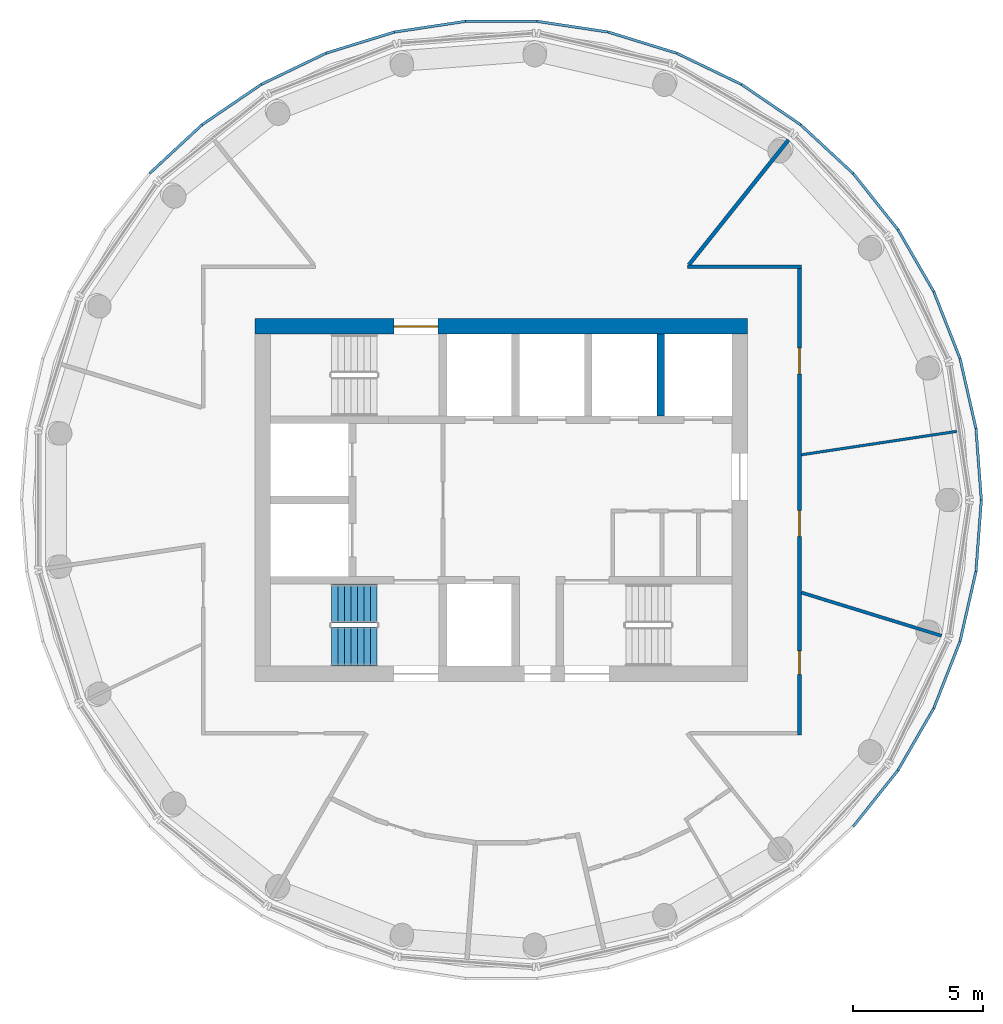
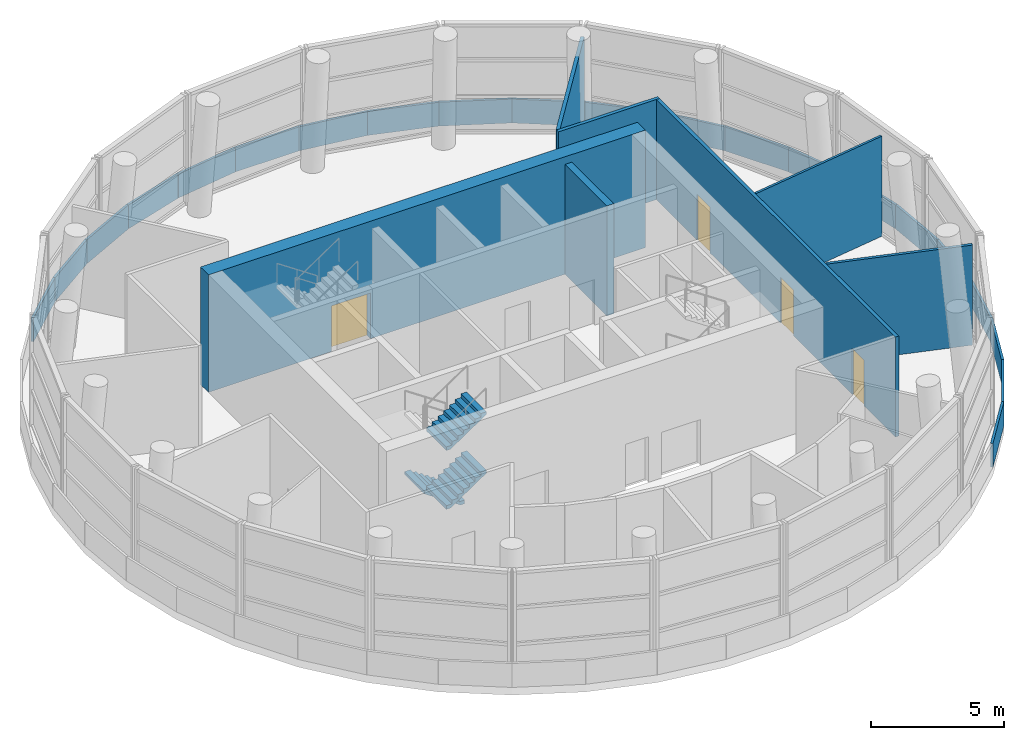
# One storey, part 7 of 11: 28 walls, 4 doors, 3 stair flights, 4 openings, 1 element without a shape of its own.
"""IFC4 building model written with IfcOpenShell, lengths in metres."""

from ifc_helpers import new_model, si_unit, direction, frame, frame_2d, origin, place, context, subcontext, project, spatial, polyline, rectangle, outline, extrude, material, layer, layer_set, type_object, element, fill, aggregate, save


model = new_model("IFC4")

# Units and contexts
model_context = context("Model", 3, precision=1e-05, world=origin(), true_north=direction((0.0, 1.0)))
body_context = subcontext(model_context, "Body", "Model", "MODEL_VIEW")
ifc_project = project(units=[si_unit("LENGTHUNIT", "METRE"), si_unit("AREAUNIT", "SQUARE_METRE"), si_unit("VOLUMEUNIT", "CUBIC_METRE"), si_unit("PLANEANGLEUNIT", "RADIAN"), si_unit("MASSUNIT", "GRAM", prefix="KILO")], contexts=[model_context])

# Site, building, storey
site_placement = place(None, origin())
site = spatial("IfcSite", under=ifc_project, at=site_placement, CompositionType="ELEMENT")
building_placement = place(site_placement, origin())
building = spatial("IfcBuilding", under=site, at=building_placement, Name="Tracery Tower", CompositionType="ELEMENT")
storey_placement = place(building_placement, frame((0.0, 0.0, 346.800048828125)))
storey = spatial("IfcBuildingStorey", under=building, at=storey_placement, Name="L89", CompositionType="ELEMENT", Elevation=346.800048828125)

# Wall, opening, door
ifc_material_1 = material(Name="Concrete C40/50", Category="concrete")
ifc_layer_1 = layer(ifc_material_1, 0.60009765625)
ifc_layer_set_1 = layer_set([ifc_layer_1], Name="Core wall 600 C40")
wall_type_1 = type_object("IfcWallType", Name="Core wall 600 C40", PredefinedType="SOLIDWALL", material=ifc_layer_set_1)
wall_1_placement = place(storey_placement, frame((-9.5, 6.699951171875, 0.0), z_axis=(0.0, 0.0, 1.0), x_axis=(1.0, 0.0, 0.0)))
wall_1 = element("IfcWall", 1, at=wall_1_placement, inside=storey, type_object=wall_type_1, Name="L89 outer N", PredefinedType="SOLIDWALL", context=body_context, shape_type="SweptSolid", body=[
    extrude(rectangle(XDim=19.0, YDim=0.60009765625, at=frame_2d((9.5, 0.0))), origin(), (0.0, 0.0, 1.0), 5.39990234375),
])
opening_1_placement = place(wall_1_placement, frame((5.35009765625, 0.0, 0.0)))
opening_1 = element("IfcOpeningElement", 2, at=opening_1_placement, cuts=wall_1, Name="Opening KD3", PredefinedType="OPENING", context=body_context, shape_type="SweptSolid", body=[
    extrude(rectangle(XDim=1.699951171875, YDim=2.10009765625, at=frame_2d((0.85009765625, 1.050048828125))), frame((0.0, 0.300048828125, 0.0), z_axis=(0.0, -1.0, 0.0), x_axis=(1.0, 0.0, 0.0)), (0.0, 0.0, 1.0), 0.60009765625),
])
ifc_material_2 = material(Name="Steel fire door", Category="steel")
door_type_1 = type_object("IfcDoorType", Name="Core stair door 1700 double", OperationType="NOTDEFINED", PredefinedType="DOOR", material=ifc_material_2)
door_1_placement = place(opening_1_placement, origin())
door_1 = element("IfcDoor", 3, at=door_1_placement, inside=storey, type_object=door_type_1, Name="Stair door ST3 exit", OperationType="DOUBLE_DOOR_SINGLE_SWING", OverallHeight=2.10009765625, OverallWidth=1.699951171875, PredefinedType="DOOR", context=body_context, shape_type="SweptSolid", body=[
    extrude(rectangle(XDim=1.699951171875, YDim=2.10009765625, at=frame_2d((0.85009765625, 1.050048828125))), frame((0.0, 0.02490234375, 0.0), z_axis=(0.0, -1.0, 0.0), x_axis=(1.0, 0.0, 0.0)), (0.0, 0.0, 1.0), 0.050048828125),
])
fill(opening_1, door_1)

# Wall
ifc_material_3 = material(Name="Plasterboard on steel studs", Category="steel")
ifc_layer_2 = layer(ifc_material_3, 0.14990234375)
ifc_layer_set_2 = layer_set([ifc_layer_2], Name="Corridor partition 150")
wall_type_2 = type_object("IfcWallType", Name="Corridor partition 150", PredefinedType="PARTITIONING", material=ifc_layer_set_2)
wall_2_placement = place(storey_placement, frame((11.080322265625, 13.894287109375, 0.0), z_axis=(0.0, 0.0, 1.0), x_axis=(-0.623486782959, -0.781833889951, 0.0)))
element("IfcWall", 4, at=wall_2_placement, inside=storey, type_object=wall_type_2, Name="Corridor partition 150", PredefinedType="PARTITIONING", context=body_context, shape_type="SweptSolid", body=[
    extrude(rectangle(XDim=6.1640625, YDim=0.14990234375, at=frame_2d((3.08203125, 0.0))), origin(), (0.0, 0.0, 1.0), 4.599853515625),
])

# Wall, openings, doors
wall_3_placement = place(storey_placement, frame((11.5, 8.925048828125, 0.0), z_axis=(0.0, 0.0, 1.0), x_axis=(0.0, -1.0, 0.0)))
wall_3 = element("IfcWall", 5, at=wall_3_placement, inside=storey, type_object=wall_type_2, Name="Corridor partition 150", PredefinedType="PARTITIONING", context=body_context, shape_type="SweptSolid", body=[
    extrude(rectangle(XDim=18.0, YDim=0.14990234375, at=frame_2d((9.0, 0.0))), origin(), (0.0, 0.0, 1.0), 4.599853515625),
])
opening_2_placement = place(wall_3_placement, frame((3.058349609375, 0.0, 0.0)))
opening_2 = element("IfcOpeningElement", 6, at=opening_2_placement, cuts=wall_3, Name="Opening SB-L89-01", PredefinedType="OPENING", context=body_context, shape_type="SweptSolid", body=[
    extrude(rectangle(XDim=1.0, YDim=2.10009765625, at=frame_2d((0.5, 1.050048828125))), frame((0.0, 0.074951171875, 0.0), z_axis=(0.0, -1.0, 0.0), x_axis=(1.0, 0.0, 0.0)), (0.0, 0.0, 1.0), 0.14990234375),
])
opening_3_placement = place(wall_3_placement, frame((14.748779296875, 0.0, 0.0)))
opening_3 = element("IfcOpeningElement", 7, at=opening_3_placement, cuts=wall_3, Name="Opening SB-L89-09", PredefinedType="OPENING", context=body_context, shape_type="SweptSolid", body=[
    extrude(rectangle(XDim=0.89990234375, YDim=2.10009765625, at=frame_2d((0.449951171875, 1.050048828125))), frame((0.0, 0.074951171875, 0.0), z_axis=(0.0, -1.0, 0.0), x_axis=(1.0, 0.0, 0.0)), (0.0, 0.0, 1.0), 0.14990234375),
])
opening_4_placement = place(wall_3_placement, frame((9.33203125, 0.0, 0.0)))
opening_4 = element("IfcOpeningElement", 8, at=opening_4_placement, cuts=wall_3, Name="Opening SB-L89-10", PredefinedType="OPENING", context=body_context, shape_type="SweptSolid", body=[
    extrude(rectangle(XDim=1.0, YDim=2.10009765625, at=frame_2d((0.5, 1.050048828125))), frame((0.0, 0.074951171875, 0.0), z_axis=(0.0, -1.0, 0.0), x_axis=(1.0, 0.0, 0.0)), (0.0, 0.0, 1.0), 0.14990234375),
])
ifc_material_4 = material(Name="Timber door leaf", Category="wood")
door_type_2 = type_object("IfcDoorType", Name="Public room door 1000", OperationType="NOTDEFINED", PredefinedType="DOOR", material=ifc_material_4)
door_2_placement = place(opening_2_placement, origin())
door_2 = element("IfcDoor", 9, at=door_2_placement, inside=storey, type_object=door_type_2, Name="Public room door 1000", OperationType="SINGLE_SWING_RIGHT", OverallHeight=2.10009765625, OverallWidth=1.0, PredefinedType="DOOR", context=body_context, shape_type="SweptSolid", body=[
    extrude(rectangle(XDim=1.0, YDim=2.10009765625, at=frame_2d((0.5, 1.050048828125))), frame((0.0, 0.02490234375, 0.0), z_axis=(0.0, -1.0, 0.0), x_axis=(1.0, 0.0, 0.0)), (0.0, 0.0, 1.0), 0.050048828125),
])
fill(opening_2, door_2)
door_3_placement = place(opening_4_placement, origin())
door_3 = element("IfcDoor", 10, at=door_3_placement, inside=storey, type_object=door_type_2, Name="Public room door 1000", OperationType="SINGLE_SWING_RIGHT", OverallHeight=2.10009765625, OverallWidth=1.0, PredefinedType="DOOR", context=body_context, shape_type="SweptSolid", body=[
    extrude(rectangle(XDim=1.0, YDim=2.10009765625, at=frame_2d((0.5, 1.050048828125))), frame((0.0, 0.02490234375, 0.0), z_axis=(0.0, -1.0, 0.0), x_axis=(1.0, 0.0, 0.0)), (0.0, 0.0, 1.0), 0.050048828125),
])
fill(opening_4, door_3)
ifc_material_5 = material(Name="Timber door leaf", Category="wood")
door_type_3 = type_object("IfcDoorType", Name="Toilet door 900", OperationType="NOTDEFINED", PredefinedType="DOOR", material=ifc_material_5)
door_4_placement = place(opening_3_placement, origin())
door_4 = element("IfcDoor", 11, at=door_4_placement, inside=storey, type_object=door_type_3, Name="Toilet door 900", OperationType="SINGLE_SWING_RIGHT", OverallHeight=2.10009765625, OverallWidth=0.89990234375, PredefinedType="DOOR", context=body_context, shape_type="SweptSolid", body=[
    extrude(rectangle(XDim=0.89990234375, YDim=2.10009765625, at=frame_2d((0.449951171875, 1.050048828125))), frame((0.0, 0.02490234375, 0.0), z_axis=(0.0, -1.0, 0.0), x_axis=(1.0, 0.0, 0.0)), (0.0, 0.0, 1.0), 0.050048828125),
])
fill(opening_3, door_4)

# Walls
wall_4_placement = place(storey_placement, frame((11.574951171875, 9.0, 0.0), z_axis=(0.0, 0.0, 1.0), x_axis=(-1.0, 0.0, 0.0)))
element("IfcWall", 12, at=wall_4_placement, inside=storey, type_object=wall_type_2, Name="Corridor partition 150", PredefinedType="PARTITIONING", context=body_context, shape_type="SweptSolid", body=[
    extrude(rectangle(XDim=4.397705078125, YDim=0.14990234375, at=frame_2d((2.19873046875, 0.0))), origin(), (0.0, 0.0, 1.0), 4.599853515625),
])
ifc_material_6 = material(Name="Tinted laminated glass", Category="glass")
ifc_layer_3 = layer(ifc_material_6, 0.10009765625)
ifc_layer_set_3 = layer_set([ifc_layer_3], Name="Crown ledge glass parapet 100")
wall_type_3 = type_object("IfcWallType", Name="Crown ledge glass parapet 100", PredefinedType="PARAPET", material=ifc_layer_set_3)
wall_5_placement = place(storey_placement, frame((18.521728515625, 0.004638671875, 0.0), z_axis=(0.0, 0.0, 1.0), x_axis=(-0.074774549, 0.997200464712, 0.0)))
element("IfcWall", 13, at=wall_5_placement, inside=storey, type_object=wall_type_3, Name="Crown ledge glass parapet L89 1", PredefinedType="PARAPET", context=body_context, shape_type="SweptSolid", body=[
    extrude(rectangle(XDim=2.759033203125, YDim=0.10009765625, at=frame_2d((1.37939453125, 0.0))), origin(), (0.0, 0.0, 1.0), 1.099853515625),
])
for number, where, z_axis, x_axis, name in (
    (14, (18.314208984375, 2.76513671875, 0.0), (0.0, 0.0, 1.0), (-0.222558080593, 0.97491943296, 0.0), "Crown ledge glass parapet L89 2"),
    (15, (17.697509765625, 5.4638671875, 0.0), (0.0, 0.0, 1.0), (-0.365386781349, 0.930855789054, 0.0), "Crown ledge glass parapet L89 3"),
    (16, (16.685302734375, 8.04052734375, 0.0), (0.0, 0.0, 1.0), (-0.500003336238, 0.866023477598, 0.0), "Crown ledge glass parapet L89 4"),
):
    element("IfcWall", number, at=place(storey_placement, frame(where, z_axis=z_axis, x_axis=x_axis)), inside=storey, type_object=wall_type_3, Name=name, PredefinedType="PARAPET", context=body_context, shape_type="SweptSolid", body=[
        extrude(rectangle(XDim=2.7587890625, YDim=0.10009765625, at=frame_2d((1.37939453125, 0.0))), origin(), (0.0, 0.0, 1.0), 1.099853515625),
    ])
wall_6_placement = place(storey_placement, frame((15.30078125, 10.4375, 0.0), z_axis=(0.0, 0.0, 1.0), x_axis=(-0.623507251966, 0.781817566153, 0.0)))
element("IfcWall", 17, at=wall_6_placement, inside=storey, type_object=wall_type_3, Name="Crown ledge glass parapet L89 5", PredefinedType="PARAPET", context=body_context, shape_type="SweptSolid", body=[
    extrude(rectangle(XDim=2.759033203125, YDim=0.10009765625, at=frame_2d((1.37939453125, 0.0))), origin(), (0.0, 0.0, 1.0), 1.099853515625),
])
for number, where, z_axis, x_axis, name in (
    (18, (13.57421875, 12.601318359375, 0.0), (0.0, 0.0, 1.0), (-0.733070787657, 0.680152350789, 0.0), "Crown ledge glass parapet L89 6"),
    (19, (11.54443359375, 14.48388671875, 0.0), (0.0, 0.0, 1.0), (-0.826274145989, 0.563268173848, 0.0), "Crown ledge glass parapet L89 7"),
):
    element("IfcWall", number, at=place(storey_placement, frame(where, z_axis=z_axis, x_axis=x_axis)), inside=storey, type_object=wall_type_3, Name=name, PredefinedType="PARAPET", context=body_context, shape_type="SweptSolid", body=[
        extrude(rectangle(XDim=2.7587890625, YDim=0.10009765625, at=frame_2d((1.37939453125, 0.0))), origin(), (0.0, 0.0, 1.0), 1.099853515625),
    ])
wall_7_placement = place(storey_placement, frame((9.2568359375, 16.04248046875, 0.0), z_axis=(0.0, 0.0, 1.0), x_axis=(-0.900982453825, 0.433855526528, 0.0)))
element("IfcWall", 20, at=wall_7_placement, inside=storey, type_object=wall_type_3, Name="Crown ledge glass parapet L89 8", PredefinedType="PARAPET", context=body_context, shape_type="SweptSolid", body=[
    extrude(rectangle(XDim=2.759033203125, YDim=0.10009765625, at=frame_2d((1.37939453125, 0.0))), origin(), (0.0, 0.0, 1.0), 1.099853515625),
])
wall_8_placement = place(storey_placement, frame((6.76220703125, 17.2431640625, 0.0), z_axis=(0.0, 0.0, 1.0), x_axis=(-0.955558681515, 0.294800960278, 0.0)))
element("IfcWall", 21, at=wall_8_placement, inside=storey, type_object=wall_type_3, Name="Crown ledge glass parapet L89 9", PredefinedType="PARAPET", context=body_context, shape_type="SweptSolid", body=[
    extrude(rectangle(XDim=2.758544921875, YDim=0.10009765625, at=frame_2d((1.37939453125, 0.0))), origin(), (0.0, 0.0, 1.0), 1.099853515625),
])
for number, where, z_axis, x_axis, name in (
    (22, (4.116943359375, 18.058349609375, 0.0), (0.0, 0.0, 1.0), (-0.988833558512, 0.14902413751, 0.0), "Crown ledge glass parapet L89 10"),
    (23, (1.37939453125, 18.47021484375, 0.0), (0.0, 0.0, 1.0), (-1.0, 0.0, 0.0), "Crown ledge glass parapet L89 11"),
    (24, (-1.388916015625, 18.469482421875, 0.0), (0.0, 0.0, 1.0), (-0.988833558512, -0.14902413751, 0.0), "Crown ledge glass parapet L89 12"),
):
    element("IfcWall", number, at=place(storey_placement, frame(where, z_axis=z_axis, x_axis=x_axis)), inside=storey, type_object=wall_type_3, Name=name, PredefinedType="PARAPET", context=body_context, shape_type="SweptSolid", body=[
        extrude(rectangle(XDim=2.7587890625, YDim=0.10009765625, at=frame_2d((1.37939453125, 0.0))), origin(), (0.0, 0.0, 1.0), 1.099853515625),
    ])
wall_9_placement = place(storey_placement, frame((-4.126220703125, 18.056396484375, 0.0), z_axis=(0.0, 0.0, 1.0), x_axis=(-0.955558681515, -0.294800960278, 0.0)))
element("IfcWall", 25, at=wall_9_placement, inside=storey, type_object=wall_type_3, Name="Crown ledge glass parapet L89 13", PredefinedType="PARAPET", context=body_context, shape_type="SweptSolid", body=[
    extrude(rectangle(XDim=2.758544921875, YDim=0.10009765625, at=frame_2d((1.37939453125, 0.0))), origin(), (0.0, 0.0, 1.0), 1.099853515625),
])
wall_10_placement = place(storey_placement, frame((-6.77099609375, 17.239501953125, 0.0), z_axis=(0.0, 0.0, 1.0), x_axis=(-0.900982453825, -0.433855526528, 0.0)))
element("IfcWall", 26, at=wall_10_placement, inside=storey, type_object=wall_type_3, Name="Crown ledge glass parapet L89 14", PredefinedType="PARAPET", context=body_context, shape_type="SweptSolid", body=[
    extrude(rectangle(XDim=2.759033203125, YDim=0.10009765625, at=frame_2d((1.37939453125, 0.0))), origin(), (0.0, 0.0, 1.0), 1.099853515625),
])
for number, where, z_axis, x_axis, name in (
    (27, (-9.264892578125, 16.037841796875, 0.0), (0.0, 0.0, 1.0), (-0.826274145989, -0.563268173848, 0.0), "Crown ledge glass parapet L89 15"),
    (28, (-11.5517578125, 14.477783203125, 0.0), (0.0, 0.0, 1.0), (-0.733070787657, -0.680152350789, 0.0), "Crown ledge glass parapet L89 16"),
):
    element("IfcWall", number, at=place(storey_placement, frame(where, z_axis=z_axis, x_axis=x_axis)), inside=storey, type_object=wall_type_3, Name=name, PredefinedType="PARAPET", context=body_context, shape_type="SweptSolid", body=[
        extrude(rectangle(XDim=2.7587890625, YDim=0.10009765625, at=frame_2d((1.37939453125, 0.0))), origin(), (0.0, 0.0, 1.0), 1.099853515625),
    ])
wall_11_placement = place(storey_placement, frame((13.58056640625, -12.594482421875, 0.0), z_axis=(0.0, 0.0, 1.0), x_axis=(0.623507251966, 0.781817566153, 0.0)))
element("IfcWall", 29, at=wall_11_placement, inside=storey, type_object=wall_type_3, Name="Crown ledge glass parapet L89 38", PredefinedType="PARAPET", context=body_context, shape_type="SweptSolid", body=[
    extrude(rectangle(XDim=2.759033203125, YDim=0.10009765625, at=frame_2d((1.37939453125, 0.0))), origin(), (0.0, 0.0, 1.0), 1.099853515625),
])
for number, where, z_axis, x_axis, name in (
    (30, (15.305908203125, -10.4296875, 0.0), (0.0, 0.0, 1.0), (0.500003336238, 0.866023477598, 0.0), "Crown ledge glass parapet L89 39"),
    (31, (16.689453125, -8.031982421875, 0.0), (0.0, 0.0, 1.0), (0.365386781349, 0.930855789054, 0.0), "Crown ledge glass parapet L89 40"),
    (32, (17.7001953125, -5.454833984375, 0.0), (0.0, 0.0, 1.0), (0.222558080593, 0.97491943296, 0.0), "Crown ledge glass parapet L89 41"),
):
    element("IfcWall", number, at=place(storey_placement, frame(where, z_axis=z_axis, x_axis=x_axis)), inside=storey, type_object=wall_type_3, Name=name, PredefinedType="PARAPET", context=body_context, shape_type="SweptSolid", body=[
        extrude(rectangle(XDim=2.7587890625, YDim=0.10009765625, at=frame_2d((1.37939453125, 0.0))), origin(), (0.0, 0.0, 1.0), 1.099853515625),
    ])
wall_12_placement = place(storey_placement, frame((18.3154296875, -2.755859375, 0.0), z_axis=(0.0, 0.0, 1.0), x_axis=(0.074774549, 0.997200464712, 0.0)))
element("IfcWall", 33, at=wall_12_placement, inside=storey, type_object=wall_type_3, Name="Crown ledge glass parapet L89 42", PredefinedType="PARAPET", context=body_context, shape_type="SweptSolid", body=[
    extrude(rectangle(XDim=2.759033203125, YDim=0.10009765625, at=frame_2d((1.37939453125, 0.0))), origin(), (0.0, 0.0, 1.0), 1.099853515625),
])
ifc_material_7 = material(Name="Concrete C40/50", Category="concrete")
ifc_layer_4 = layer(ifc_material_7, 0.300048828125)
ifc_layer_set_4 = layer_set([ifc_layer_4], Name="Shaft wall 300 C40")
wall_type_4 = type_object("IfcWallType", Name="Shaft wall 300 C40", PredefinedType="SOLIDWALL", material=ifc_layer_set_4)
wall_13_placement = place(storey_placement, frame((6.14990234375, 3.25, 0.0), z_axis=(0.0, 0.0, 1.0), x_axis=(0.0, 1.0, 0.0)))
element("IfcWall", 34, at=wall_13_placement, inside=storey, type_object=wall_type_4, Name="L89 HR sep 3", PredefinedType="SOLIDWALL", context=body_context, shape_type="SweptSolid", body=[
    extrude(rectangle(XDim=3.14990234375, YDim=0.300048828125, at=frame_2d((1.574951171875, 0.0))), origin(), (0.0, 0.0, 1.0), 5.050048828125),
])
ifc_material_8 = material(Name="Plasterboard on steel studs", Category="steel")
ifc_layer_5 = layer(ifc_material_8, 0.10009765625)
ifc_layer_set_5 = layer_set([ifc_layer_5], Name="Stud partition 100")
wall_type_5 = type_object("IfcWallType", Name="Stud partition 100", PredefinedType="PARTITIONING", material=ifc_layer_set_5)
wall_14_placement = place(storey_placement, frame((17.572998046875, 2.648681640625, 0.0), z_axis=(0.0, 0.0, 1.0), x_axis=(-0.988829456873, -0.14905135095, 0.0)))
element("IfcWall", 35, at=wall_14_placement, inside=storey, type_object=wall_type_5, Name="Stud partition 100", PredefinedType="PARTITIONING", context=body_context, shape_type="SweptSolid", body=[
    extrude(rectangle(XDim=6.06201171875, YDim=0.10009765625, at=frame_2d((3.031005859375, 0.0))), origin(), (0.0, 0.0, 1.0), 4.599853515625),
])
ifc_material_9 = material(Name="Plasterboard on steel studs", Category="steel")
ifc_layer_6 = layer(ifc_material_9, 0.125)
ifc_layer_set_6 = layer_set([ifc_layer_6], Name="Wet area partition 125")
wall_type_6 = type_object("IfcWallType", Name="Wet area partition 125", PredefinedType="PARTITIONING", material=ifc_layer_set_6)
wall_15_placement = place(storey_placement, frame((16.981689453125, -5.23828125, 0.0), z_axis=(0.0, 0.0, 1.0), x_axis=(-0.955565682018, 0.294778268109, 0.0)))
element("IfcWall", 36, at=wall_15_placement, inside=storey, type_object=wall_type_6, Name="Wet area partition 125", PredefinedType="PARTITIONING", context=body_context, shape_type="SweptSolid", body=[
    extrude(rectangle(XDim=5.6484375, YDim=0.125, at=frame_2d((2.82421875, 0.0))), origin(), (0.0, 0.0, 1.0), 4.599853515625),
])

# Stair, stair flights
ifc_material_10 = material(Name="Concrete C32/40", Category="concrete")
stair_type = type_object("IfcStairType", Name="Core stair 32 risers", PredefinedType="HALF_TURN_STAIR", material=ifc_material_10)
stair_placement = place(storey_placement, origin())
stair = element("IfcStair", 37, at=stair_placement, inside=storey, type_object=stair_type, Name="L89 stair ST1", PredefinedType="HALF_TURN_STAIR")
ifc_material_11 = material(Name="Concrete C32/40", Category="concrete")
stair_flight_type = type_object("IfcStairFlightType", Name="Core stair flight 8 risers", PredefinedType="STRAIGHT", material=ifc_material_11)
stair_flight_1_placement = place(storey_placement, frame((-4.800048828125, -4.0, 0.0), z_axis=(0.0, 0.0, 1.0), x_axis=(-1.0, 0.0, 0.0)))
stair_flight_1 = element("IfcStairFlight", 38, at=stair_flight_1_placement, type_object=stair_flight_type, Name="ST1 flight 1", NumberOfRisers=8, NumberOfTreads=7, PredefinedType="STRAIGHT", RiserHeight=0.16875, TreadLength=0.25, context=body_context, shape_type="SweptSolid", body=[
    extrude(outline(polyline([(0.0, 0.0), (0.0, 0.002685546875), (0.0, 0.005615234375), (0.0, 0.00830078125), (0.0, 0.010986328125), (0.0, 0.013916015625), (0.0, 0.0166015625), (0.0, 0.019287109375), (0.0, 0.022216796875), (0.0, 0.02490234375), (0.0, 0.027587890625), (0.0, 0.030517578125), (0.0, 0.033203125), (0.0, 0.035888671875), (0.0, 0.038818359375), (0.0, 0.04150390625), (0.0, 0.044189453125), (0.0, 0.047119140625), (0.0, 0.0498046875), (0.0, 0.052490234375), (0.0, 0.055419921875), (0.0, 0.05810546875), (0.0, 0.060791015625), (0.0, 0.063720703125), (0.0, 0.06640625), (0.0, 0.069091796875), (0.0, 0.072021484375), (0.0, 0.07470703125), (0.0, 0.077392578125), (0.0, 0.080322265625), (0.0, 0.0830078125), (0.0, 0.085693359375), (0.0, 0.088623046875), (0.0, 0.09130859375), (0.0, 0.093994140625), (0.0, 0.096923828125), (0.0, 0.099609375), (0.0, 0.102294921875), (0.0, 0.105224609375), (0.0, 0.10791015625), (0.0, 0.110595703125), (0.0, 0.113525390625), (0.0, 0.1162109375), (0.0, 0.118896484375), (0.0, 0.121826171875), (0.0, 0.12451171875), (0.0, 0.127197265625), (0.0, 0.130126953125), (0.0, 0.1328125), (0.0, 0.135498046875), (0.0, 0.138427734375), (0.0, 0.14111328125), (0.0, 0.143798828125), (0.0, 0.146728515625), (0.0, 0.1494140625), (0.0, 0.152099609375), (0.0, 0.155029296875), (0.0, 0.15771484375), (0.0, 0.160400390625), (0.0, 0.163330078125), (0.0, 0.166015625), (0.0, 0.168701171875), (0.25, 0.168701171875), (0.25, 0.33740234375), (0.5, 0.33740234375), (0.5, 0.50634765625), (0.75, 0.50634765625), (0.75, 0.675048828125), (1.0, 0.675048828125), (1.0, 0.84375), (1.25, 0.84375), (1.25, 1.012451171875), (1.5, 1.012451171875), (1.5, 1.18115234375), (1.75, 1.18115234375), (1.75, 1.17919921875), (1.75, 1.17724609375), (1.75, 1.17529296875), (1.75, 1.17333984375), (1.75, 1.17138671875), (1.75, 1.16943359375), (1.75, 1.16748046875), (1.75, 1.16552734375), (1.75, 1.163330078125), (1.75, 1.161376953125), (1.75, 1.159423828125), (1.75, 1.157470703125), (1.75, 1.155517578125), (1.75, 1.153564453125), (1.75, 1.151611328125), (1.75, 1.149658203125), (1.75, 1.147705078125), (1.75, 1.1455078125), (1.75, 1.1435546875), (1.75, 1.1416015625), (1.75, 1.1396484375), (1.75, 1.1376953125), (1.75, 1.1357421875), (1.75, 1.1337890625), (1.75, 1.1318359375), (1.75, 1.1298828125), (1.75, 1.127685546875), (1.75, 1.125732421875), (1.75, 1.123779296875), (1.75, 1.121826171875), (1.75, 1.119873046875), (1.75, 1.117919921875), (1.75, 1.115966796875), (1.75, 1.114013671875), (1.75, 1.112060546875), (1.75, 1.10986328125), (1.75, 1.10791015625), (1.75, 1.10595703125), (1.75, 1.10400390625), (1.75, 1.10205078125), (1.75, 1.10009765625), (1.75, 1.09814453125), (1.75, 1.09619140625), (1.75, 1.09423828125), (1.75, 1.092041015625), (1.75, 1.090087890625), (1.75, 1.088134765625), (1.75, 1.086181640625), (1.75, 1.084228515625), (1.75, 1.082275390625), (1.75, 1.080322265625), (1.75, 1.078369140625), (1.75, 1.076416015625), (1.75, 1.074462890625), (1.75, 1.072265625), (1.75, 1.0703125), (1.75, 1.068359375), (1.75, 1.06640625), (1.75, 1.064453125), (1.75, 1.0625), (1.75, 1.060546875), (0.178955078125, 0.0), (0.0, 0.0)])), frame((0.0, 0.75, 0.0), z_axis=(0.0, -1.0, 0.0), x_axis=(1.0, 0.0, 0.0)), (0.0, 0.0, 1.0), 1.5),
])
stair_flight_2_placement = place(storey_placement, frame((-6.550048828125, -5.64990234375, 1.349853515625), z_axis=(0.0, 0.0, 1.0), x_axis=(1.0, 0.0, 0.0)))
stair_flight_2 = element("IfcStairFlight", 39, at=stair_flight_2_placement, type_object=stair_flight_type, Name="ST1 flight 2", NumberOfRisers=8, NumberOfTreads=7, PredefinedType="STRAIGHT", RiserHeight=0.16875, TreadLength=0.25, context=body_context, shape_type="SweptSolid", body=[
    extrude(outline(polyline([(0.0, 0.0), (0.0, 0.002685546875), (0.0, 0.005615234375), (0.0, 0.00830078125), (0.0, 0.010986328125), (0.0, 0.013916015625), (0.0, 0.0166015625), (0.0, 0.019287109375), (0.0, 0.022216796875), (0.0, 0.02490234375), (0.0, 0.027587890625), (0.0, 0.030517578125), (0.0, 0.033203125), (0.0, 0.035888671875), (0.0, 0.038818359375), (0.0, 0.04150390625), (0.0, 0.044189453125), (0.0, 0.047119140625), (0.0, 0.0498046875), (0.0, 0.052490234375), (0.0, 0.055419921875), (0.0, 0.05810546875), (0.0, 0.060791015625), (0.0, 0.063720703125), (0.0, 0.06640625), (0.0, 0.069091796875), (0.0, 0.072021484375), (0.0, 0.07470703125), (0.0, 0.077392578125), (0.0, 0.080322265625), (0.0, 0.0830078125), (0.0, 0.085693359375), (0.0, 0.088623046875), (0.0, 0.09130859375), (0.0, 0.093994140625), (0.0, 0.096923828125), (0.0, 0.099609375), (0.0, 0.102294921875), (0.0, 0.105224609375), (0.0, 0.10791015625), (0.0, 0.110595703125), (0.0, 0.113525390625), (0.0, 0.1162109375), (0.0, 0.118896484375), (0.0, 0.121826171875), (0.0, 0.12451171875), (0.0, 0.127197265625), (0.0, 0.130126953125), (0.0, 0.1328125), (0.0, 0.135498046875), (0.0, 0.138427734375), (0.0, 0.14111328125), (0.0, 0.143798828125), (0.0, 0.146728515625), (0.0, 0.1494140625), (0.0, 0.152099609375), (0.0, 0.155029296875), (0.0, 0.15771484375), (0.0, 0.160400390625), (0.0, 0.163330078125), (0.0, 0.166015625), (0.0, 0.168701171875), (0.25, 0.168701171875), (0.25, 0.33740234375), (0.5, 0.33740234375), (0.5, 0.50634765625), (0.75, 0.50634765625), (0.75, 0.675048828125), (1.0, 0.675048828125), (1.0, 0.84375), (1.25, 0.84375), (1.25, 1.012451171875), (1.5, 1.012451171875), (1.5, 1.18115234375), (1.75, 1.18115234375), (1.75, 1.17919921875), (1.75, 1.17724609375), (1.75, 1.17529296875), (1.75, 1.17333984375), (1.75, 1.17138671875), (1.75, 1.16943359375), (1.75, 1.16748046875), (1.75, 1.16552734375), (1.75, 1.163330078125), (1.75, 1.161376953125), (1.75, 1.159423828125), (1.75, 1.157470703125), (1.75, 1.155517578125), (1.75, 1.153564453125), (1.75, 1.151611328125), (1.75, 1.149658203125), (1.75, 1.147705078125), (1.75, 1.1455078125), (1.75, 1.1435546875), (1.75, 1.1416015625), (1.75, 1.1396484375), (1.75, 1.1376953125), (1.75, 1.1357421875), (1.75, 1.1337890625), (1.75, 1.1318359375), (1.75, 1.1298828125), (1.75, 1.127685546875), (1.75, 1.125732421875), (1.75, 1.123779296875), (1.75, 1.121826171875), (1.75, 1.119873046875), (1.75, 1.117919921875), (1.75, 1.115966796875), (1.75, 1.114013671875), (1.75, 1.112060546875), (1.75, 1.10986328125), (1.75, 1.10791015625), (1.75, 1.10595703125), (1.75, 1.10400390625), (1.75, 1.10205078125), (1.75, 1.10009765625), (1.75, 1.09814453125), (1.75, 1.09619140625), (1.75, 1.09423828125), (1.75, 1.092041015625), (1.75, 1.090087890625), (1.75, 1.088134765625), (1.75, 1.086181640625), (1.75, 1.084228515625), (1.75, 1.082275390625), (1.75, 1.080322265625), (1.75, 1.078369140625), (1.75, 1.076416015625), (1.75, 1.074462890625), (1.75, 1.072265625), (1.75, 1.0703125), (1.75, 1.068359375), (1.75, 1.06640625), (1.75, 1.064453125), (1.75, 1.0625), (1.75, 1.060546875), (0.178955078125, 0.0), (0.0, 0.0)])), frame((0.0, 0.75, 0.0), z_axis=(0.0, -1.0, 0.0), x_axis=(1.0, 0.0, 0.0)), (0.0, 0.0, 1.0), 1.5),
])
stair_flight_3_placement = place(storey_placement, frame((-6.550048828125, -5.64990234375, 4.050048828125), z_axis=(0.0, 0.0, 1.0), x_axis=(1.0, 0.0, 0.0)))
stair_flight_3 = element("IfcStairFlight", 40, at=stair_flight_3_placement, type_object=stair_flight_type, Name="ST1 flight 4", NumberOfRisers=8, NumberOfTreads=7, PredefinedType="STRAIGHT", RiserHeight=0.16875, TreadLength=0.25, context=body_context, shape_type="SweptSolid", body=[
    extrude(outline(polyline([(0.0, 0.0), (0.0, 0.002685546875), (0.0, 0.005615234375), (0.0, 0.00830078125), (0.0, 0.010986328125), (0.0, 0.013916015625), (0.0, 0.0166015625), (0.0, 0.019287109375), (0.0, 0.022216796875), (0.0, 0.02490234375), (0.0, 0.027587890625), (0.0, 0.030517578125), (0.0, 0.033203125), (0.0, 0.035888671875), (0.0, 0.038818359375), (0.0, 0.04150390625), (0.0, 0.044189453125), (0.0, 0.047119140625), (0.0, 0.0498046875), (0.0, 0.052490234375), (0.0, 0.055419921875), (0.0, 0.05810546875), (0.0, 0.060791015625), (0.0, 0.063720703125), (0.0, 0.06640625), (0.0, 0.069091796875), (0.0, 0.072021484375), (0.0, 0.07470703125), (0.0, 0.077392578125), (0.0, 0.080322265625), (0.0, 0.0830078125), (0.0, 0.085693359375), (0.0, 0.088623046875), (0.0, 0.09130859375), (0.0, 0.093994140625), (0.0, 0.096923828125), (0.0, 0.099609375), (0.0, 0.102294921875), (0.0, 0.105224609375), (0.0, 0.10791015625), (0.0, 0.110595703125), (0.0, 0.113525390625), (0.0, 0.1162109375), (0.0, 0.118896484375), (0.0, 0.121826171875), (0.0, 0.12451171875), (0.0, 0.127197265625), (0.0, 0.130126953125), (0.0, 0.1328125), (0.0, 0.135498046875), (0.0, 0.138427734375), (0.0, 0.14111328125), (0.0, 0.143798828125), (0.0, 0.146728515625), (0.0, 0.1494140625), (0.0, 0.152099609375), (0.0, 0.155029296875), (0.0, 0.15771484375), (0.0, 0.160400390625), (0.0, 0.163330078125), (0.0, 0.166015625), (0.0, 0.168701171875), (0.25, 0.168701171875), (0.25, 0.33740234375), (0.5, 0.33740234375), (0.5, 0.50634765625), (0.75, 0.50634765625), (0.75, 0.675048828125), (1.0, 0.675048828125), (1.0, 0.84375), (1.25, 0.84375), (1.25, 1.012451171875), (1.5, 1.012451171875), (1.5, 1.18115234375), (1.75, 1.18115234375), (1.75, 1.17919921875), (1.75, 1.17724609375), (1.75, 1.17529296875), (1.75, 1.17333984375), (1.75, 1.17138671875), (1.75, 1.16943359375), (1.75, 1.16748046875), (1.75, 1.16552734375), (1.75, 1.163330078125), (1.75, 1.161376953125), (1.75, 1.159423828125), (1.75, 1.157470703125), (1.75, 1.155517578125), (1.75, 1.153564453125), (1.75, 1.151611328125), (1.75, 1.149658203125), (1.75, 1.147705078125), (1.75, 1.1455078125), (1.75, 1.1435546875), (1.75, 1.1416015625), (1.75, 1.1396484375), (1.75, 1.1376953125), (1.75, 1.1357421875), (1.75, 1.1337890625), (1.75, 1.1318359375), (1.75, 1.1298828125), (1.75, 1.127685546875), (1.75, 1.125732421875), (1.75, 1.123779296875), (1.75, 1.121826171875), (1.75, 1.119873046875), (1.75, 1.117919921875), (1.75, 1.115966796875), (1.75, 1.114013671875), (1.75, 1.112060546875), (1.75, 1.10986328125), (1.75, 1.10791015625), (1.75, 1.10595703125), (1.75, 1.10400390625), (1.75, 1.10205078125), (1.75, 1.10009765625), (1.75, 1.09814453125), (1.75, 1.09619140625), (1.75, 1.09423828125), (1.75, 1.092041015625), (1.75, 1.090087890625), (1.75, 1.088134765625), (1.75, 1.086181640625), (1.75, 1.084228515625), (1.75, 1.082275390625), (1.75, 1.080322265625), (1.75, 1.078369140625), (1.75, 1.076416015625), (1.75, 1.074462890625), (1.75, 1.072265625), (1.75, 1.0703125), (1.75, 1.068359375), (1.75, 1.06640625), (1.75, 1.064453125), (1.75, 1.0625), (1.75, 1.060546875), (0.178955078125, 0.0), (0.0, 0.0)])), frame((0.0, 0.75, 0.0), z_axis=(0.0, -1.0, 0.0), x_axis=(1.0, 0.0, 0.0)), (0.0, 0.0, 1.0), 1.5),
])
aggregate(stair, [stair_flight_1, stair_flight_2, stair_flight_3])

save(model, "model.ifc")
